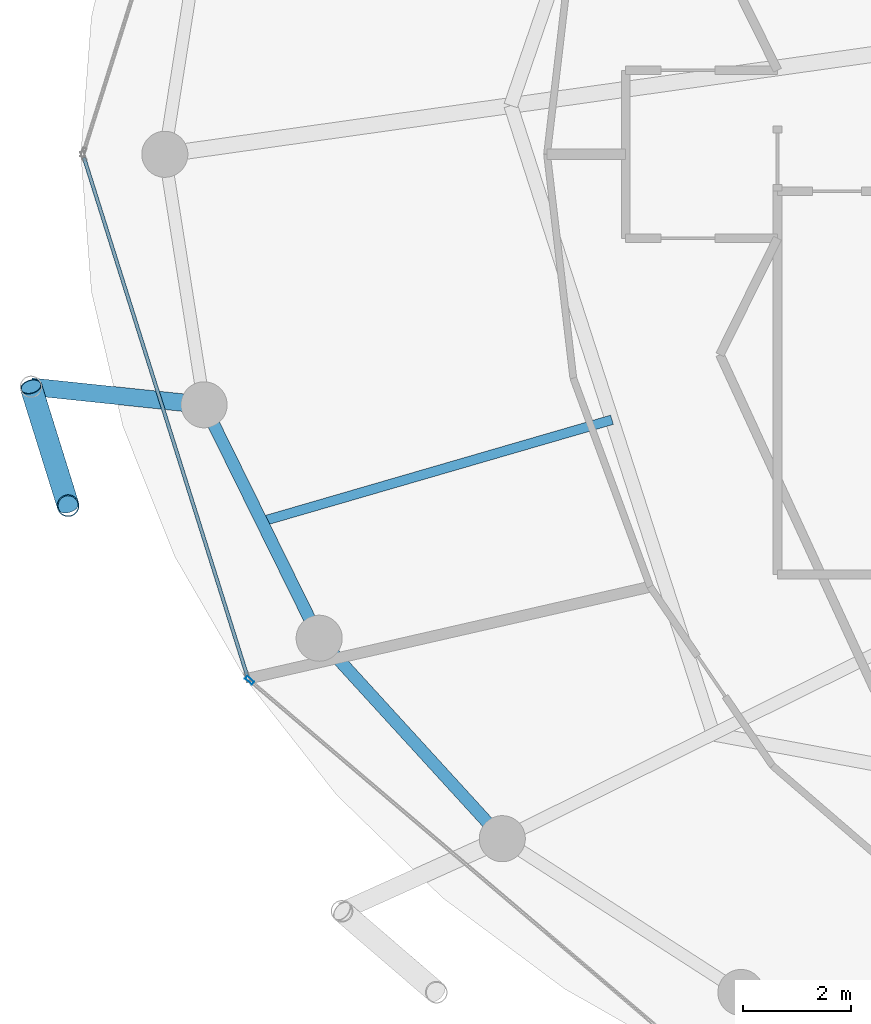
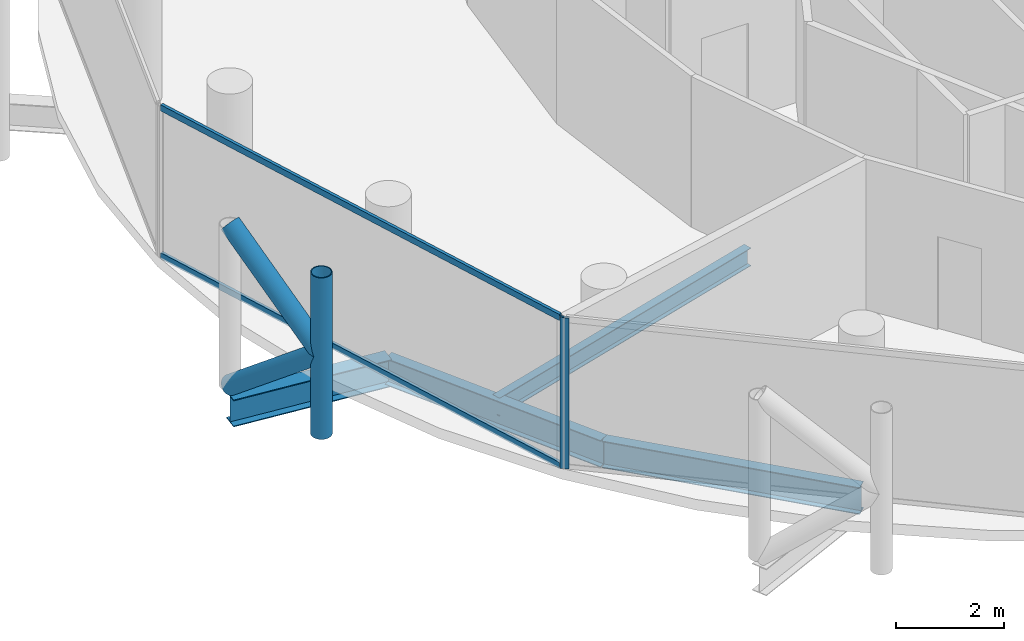
# One storey, part 3 of 27: 6 members, 4 beams, 2 elements without a shape of their own.
"""IFC4 building model written with IfcOpenShell, lengths in metres."""

from ifc_helpers import new_model, si_unit, direction, frame, origin, origin_2d, place, context, subcontext, project, spatial, hollow_rectangle, hollow_circle, i_section, extrude, material, layer, layer_set, material_profile, profile_set, type_object, element, aggregate, save


model = new_model("IFC4")

# Units and contexts
model_context = context("Model", 3, precision=1e-05, world=origin(), true_north=direction((0.0, 1.0)))
body_context = subcontext(model_context, "Body", "Model", "MODEL_VIEW")
ifc_project = project(units=[si_unit("LENGTHUNIT", "METRE"), si_unit("AREAUNIT", "SQUARE_METRE"), si_unit("VOLUMEUNIT", "CUBIC_METRE"), si_unit("PLANEANGLEUNIT", "RADIAN"), si_unit("MASSUNIT", "GRAM", prefix="KILO")], contexts=[model_context])

# Site, building, storey
site_placement = place(None, origin())
site = spatial("IfcSite", under=ifc_project, at=site_placement, CompositionType="ELEMENT")
building_placement = place(site_placement, origin())
building = spatial("IfcBuilding", under=site, at=building_placement, Name="Nuhasar Tower", CompositionType="ELEMENT")
storey_placement = place(building_placement, frame((0.0, 0.0, 215.449951171875)))
storey = spatial("IfcBuildingStorey", under=building, at=storey_placement, Name="L52", CompositionType="ELEMENT", Elevation=215.449951171875)

# Beams
ifc_material_1 = material(Name="Steel S355", Category="steel")
ifc_material_profile_1 = material_profile(ifc_material_1, i_section(OverallWidth=0.177978515625, OverallDepth=0.406005859375, WebThickness=0.0078125, FlangeThickness=0.0126953125, at=origin_2d()), Name="W16X40")
ifc_profile_set_1 = profile_set([ifc_material_profile_1], Name="Steel S355")
beam_type_1 = type_object("IfcBeamType", Name="BM-JST-W16X40", PredefinedType="JOIST", material=ifc_profile_set_1)
beam_1_placement = place(storey_placement, frame((25.9970703125, 21.904052734375, -0.44287109375), z_axis=(-0.960312689798, -0.27892568511, 0.0), x_axis=(0.27892568511, -0.960312689798, 0.0)))
element("IfcBeam", 1, at=beam_1_placement, inside=storey, type_object=beam_type_1, Name="L52 Secondary Floor Joist 08", PredefinedType="JOIST", context=body_context, shape_type="SweptSolid", body=[
    extrude(i_section(OverallWidth=0.177978515625, OverallDepth=0.406005859375, WebThickness=0.0078125, FlangeThickness=0.0126953125, at=origin_2d()), origin(), (0.0, 0.0, 1.0), 6.729248046875),
])
ifc_material_profile_2 = material_profile(ifc_material_1, i_section(OverallWidth=0.22802734375, OverallDepth=0.60791015625, WebThickness=0.01123046875, FlangeThickness=0.017333984375, at=origin_2d()), Name="W24X76")
ifc_profile_set_2 = profile_set([ifc_material_profile_2], Name="Steel S355")
beam_type_2 = type_object("IfcBeamType", Name="BM-RING-W24X76", PredefinedType="SPANDREL", material=ifc_profile_set_2)
beam_2_placement = place(storey_placement, frame((18.47412109375, 22.179931640625, -0.5439453125), z_axis=(0.442262779282, -0.896885518928, 0.0), x_axis=(0.896885518928, 0.442262779282, 0.0)))
element("IfcBeam", 2, at=beam_2_placement, inside=storey, type_object=beam_type_2, Name="L52 Perimeter Ring Spandrel 14", PredefinedType="SPANDREL", context=body_context, shape_type="SweptSolid", body=[
    extrude(i_section(OverallWidth=0.22802734375, OverallDepth=0.60791015625, WebThickness=0.01123046875, FlangeThickness=0.017333984375, at=origin_2d()), origin(), (0.0, 0.0, 1.0), 4.7998046875),
])
beam_3_placement = place(storey_placement, frame((20.596923828125, 17.875, -0.5439453125), z_axis=(0.674449692975, -0.738320805373, 0.0), x_axis=(0.738320805373, 0.674449692975, 0.0)))
element("IfcBeam", 3, at=beam_3_placement, inside=storey, type_object=beam_type_2, Name="L52 Perimeter Ring Spandrel 15", PredefinedType="SPANDREL", context=body_context, shape_type="SweptSolid", body=[
    extrude(i_section(OverallWidth=0.22802734375, OverallDepth=0.60791015625, WebThickness=0.01123046875, FlangeThickness=0.017333984375, at=origin_2d()), origin(), (0.0, 0.0, 1.0), 5.00732421875),
])
ifc_material_profile_3 = material_profile(ifc_material_1, i_section(OverallWidth=0.323974609375, OverallDepth=0.611083984375, WebThickness=0.0126953125, FlangeThickness=0.01904296875, at=origin_2d()), Name="W24X104")
ifc_profile_set_3 = profile_set([ifc_material_profile_3], Name="Steel S355")
beam_type_3 = type_object("IfcBeamType", Name="BM-TIE-W24X104", PredefinedType="BEAM", material=ifc_profile_set_3)
beam_4_placement = place(storey_placement, frame((18.47412109375, 22.179931640625, -0.544921875), z_axis=(-0.994571111079, 0.10405914187, 0.0), x_axis=(-0.10405914187, -0.994571111079, 0.0)))
element("IfcBeam", 4, at=beam_4_placement, inside=storey, type_object=beam_type_3, Name="L52 Exoskeleton Node Tie Beam 07", PredefinedType="BEAM", context=body_context, shape_type="SweptSolid", body=[
    extrude(i_section(OverallWidth=0.323974609375, OverallDepth=0.611083984375, WebThickness=0.0126953125, FlangeThickness=0.01904296875, at=origin_2d()), origin(), (0.0, 0.0, 1.0), 3.20947265625),
])

# Curtain wall, member
ifc_material_2 = material(Name="Aluminium 6063-T6", Category="aluminium")
ifc_layer = layer(ifc_material_2, 0.18994140625)
ifc_layer_set = layer_set([ifc_layer], Name="Aluminium 6063-T6")
curtain_wall_type = type_object("IfcCurtainWallType", Name="CW-Z3-RES", PredefinedType="NOTDEFINED", material=ifc_layer_set)
curtain_wall_1_placement = place(storey_placement, origin())
curtain_wall_1 = element("IfcCurtainWall", 5, at=curtain_wall_1_placement, inside=storey, type_object=curtain_wall_type, Name="L52 Unitised Curtain Wall 08", PredefinedType="NOTDEFINED")
ifc_material_profile_4 = material_profile(ifc_material_2, hollow_rectangle(XDim=0.06494140625, YDim=0.169921875, WallThickness=0.0048828125, at=origin_2d()), Name="CWM-4")
ifc_profile_set_4 = profile_set([ifc_material_profile_4], Name="Aluminium 6063-T6")
member_type_1 = type_object("IfcMemberType", Name="CW-MUL-S4", PredefinedType="MULLION", material=ifc_profile_set_4)
member_1_placement = place(storey_placement, frame((19.313720703125, 17.098876953125, 0.0), z_axis=(0.0, 0.0, 1.0), x_axis=(0.64789521578, 0.761729472562, 0.0)))
member_1 = element("IfcMember", 6, at=member_1_placement, type_object=member_type_1, Name="CW-Z3 mullion 1", PredefinedType="MULLION", context=body_context, shape_type="SweptSolid", body=[
    extrude(hollow_rectangle(XDim=0.06494140625, YDim=0.169921875, WallThickness=0.0048828125, at=origin_2d()), origin(), (0.0, 0.0, 1.0), 3.41015625),
])
aggregate(curtain_wall_1, [member_1])

# Curtain wall, members
curtain_wall_2_placement = place(storey_placement, origin())
curtain_wall_2 = element("IfcCurtainWall", 7, at=curtain_wall_2_placement, inside=storey, type_object=curtain_wall_type, Name="L52 Unitised Curtain Wall 07", PredefinedType="NOTDEFINED")
ifc_material_profile_5 = material_profile(ifc_material_2, hollow_rectangle(XDim=0.06494140625, YDim=0.139892578125, WallThickness=0.00439453125, at=origin_2d()), Name="CWT-4")
ifc_profile_set_5 = profile_set([ifc_material_profile_5], Name="Aluminium 6063-T6")
member_type_2 = type_object("IfcMemberType", Name="CW-TRN-S4", PredefinedType="USERDEFINED", material=ifc_profile_set_5)
member_2_placement = place(storey_placement, frame((16.259521484375, 26.738037109375, 0.032470703125), z_axis=(0.300430390604, -0.953803743126, 0.0), x_axis=(0.953803743126, 0.300430390604, 0.0)))
member_2 = element("IfcMember", 8, at=member_2_placement, type_object=member_type_2, Name="CW-Z3 transom 1.1", ObjectType="TRANSOM", PredefinedType="USERDEFINED", context=body_context, shape_type="SweptSolid", body=[
    extrude(hollow_rectangle(XDim=0.06494140625, YDim=0.139892578125, WallThickness=0.00439453125, at=origin_2d()), origin(), (0.0, 0.0, 1.0), 10.01904296875),
])
member_3_placement = place(storey_placement, frame((16.259521484375, 26.738037109375, 3.37744140625), z_axis=(0.300430390604, -0.953803743126, 0.0), x_axis=(0.953803743126, 0.300430390604, 0.0)))
member_3 = element("IfcMember", 9, at=member_3_placement, type_object=member_type_2, Name="CW-Z3 transom 1.2", ObjectType="TRANSOM", PredefinedType="USERDEFINED", context=body_context, shape_type="SweptSolid", body=[
    extrude(hollow_rectangle(XDim=0.06494140625, YDim=0.139892578125, WallThickness=0.00439453125, at=origin_2d()), origin(), (0.0, 0.0, 1.0), 10.01904296875),
])
aggregate(curtain_wall_2, [member_2, member_3])

# Members
ifc_material_3 = material(Name="Steel S460", Category="steel")
ifc_material_profile_6 = material_profile(ifc_material_3, hollow_circle(Radius=0.203125, WallThickness=0.01904296875, at=origin_2d()), Name="HSS406.4X19.1")
ifc_profile_set_6 = profile_set([ifc_material_profile_6], Name="Steel S460")
member_type_3 = type_object("IfcMemberType", Name="EXO-BRONZE-406", PredefinedType="BRACE", material=ifc_profile_set_6)
member_4_placement = place(storey_placement, frame((15.967041015625, 20.319091796875, 0.0), z_axis=(0.0, 0.0, 1.0), x_axis=(1.0, 0.0, 0.0)))
element("IfcMember", 10, at=member_4_placement, inside=storey, type_object=member_type_3, Name="L52 Exoskeleton Chord Column EC-07B", PredefinedType="BRACE", context=body_context, shape_type="SweptSolid", body=[
    extrude(hollow_circle(Radius=0.203125, WallThickness=0.01904296875, at=origin_2d()), origin(), (0.0, 0.0, 1.0), 3.650146484375),
])
for number, where, z_axis, x_axis, name in (
    (11, (15.281982421875, 22.513916015625, 0.0), (0.233372423355, -0.747689980743, 0.621688832709), (0.954581948223, 0.297948492404, 0.0), "L52 Bronze Diagrid Brace W1-07"),
    (12, (15.967041015625, 20.319091796875, 1.824951171875), (-0.233360356896, 0.747651321632, 0.621739853228), (-0.954581948223, -0.297948492404, 0.0), "L52 Bronze Diagrid Brace W2-07"),
):
    element("IfcMember", number, at=place(storey_placement, frame(where, z_axis=z_axis, x_axis=x_axis)), inside=storey, type_object=member_type_3, Name=name, PredefinedType="BRACE", context=body_context, shape_type="SweptSolid", body=[
        extrude(hollow_circle(Radius=0.203125, WallThickness=0.01904296875, at=origin_2d()), origin(), (0.0, 0.0, 1.0), 2.935546875),
    ])

save(model, "model.ifc")
